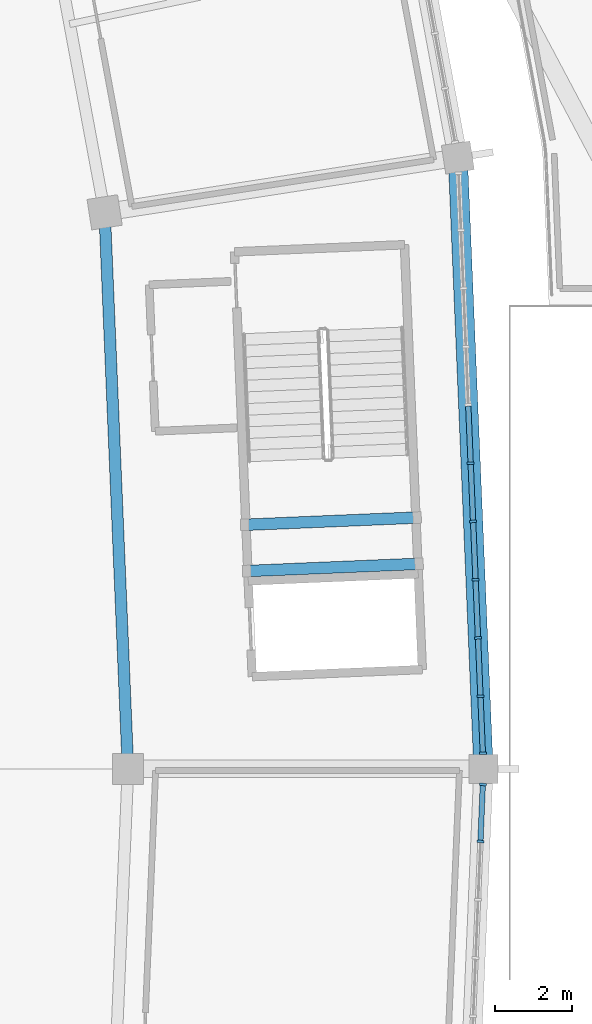
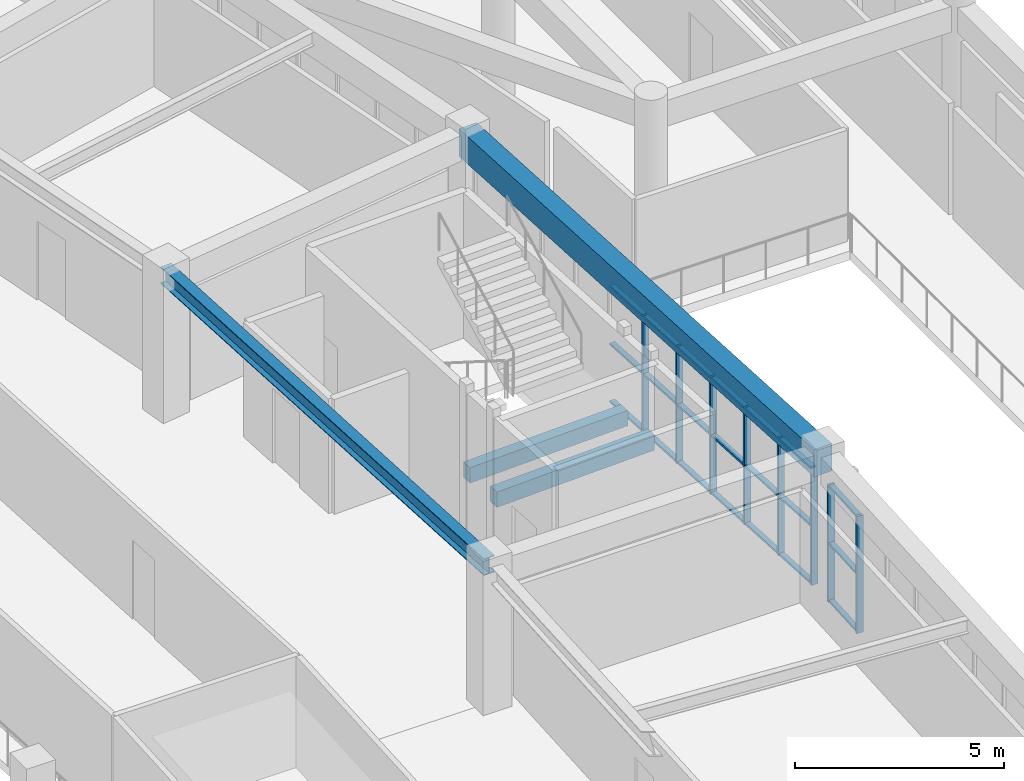
# One storey, part 44 of 141: 29 members, 4 beams, 2 elements without a shape of their own.
"""IFC4 building model written with IfcOpenShell, lengths in metres."""

from ifc_helpers import new_model, si_unit, direction, frame, origin, origin_2d, place, context, subcontext, project, spatial, rectangle, i_section, extrude, material, layer, layer_set, material_profile, profile_set, type_object, element, aggregate, save


model = new_model("IFC4")

# Units and contexts
model_context = context("Model", 3, precision=1e-05, world=origin(), true_north=direction((0.0, 1.0)))
body_context = subcontext(model_context, "Body", "Model", "MODEL_VIEW")
ifc_project = project(units=[si_unit("LENGTHUNIT", "METRE"), si_unit("AREAUNIT", "SQUARE_METRE"), si_unit("VOLUMEUNIT", "CUBIC_METRE"), si_unit("PLANEANGLEUNIT", "RADIAN"), si_unit("MASSUNIT", "GRAM", prefix="KILO")], contexts=[model_context])

# Site, building, storey
site_placement = place(None, origin())
site = spatial("IfcSite", under=ifc_project, at=site_placement, CompositionType="ELEMENT")
building_placement = place(site_placement, origin())
building = spatial("IfcBuilding", under=site, at=building_placement, Name="Mphavela Belvedere Stadium", CompositionType="ELEMENT")
storey_placement = place(building_placement, frame((0.0, 0.0, 14.699951171875)))
storey = spatial("IfcBuildingStorey", under=building, at=storey_placement, Name="L03", CompositionType="ELEMENT", Elevation=14.699951171875)

# Beams
ifc_material_1 = material(Name="Concrete C40/50", Category="concrete")
ifc_material_profile_1 = material_profile(ifc_material_1, rectangle(XDim=0.300048828125, YDim=0.449951171875, at=origin_2d()), Name="RC 300x450")
ifc_profile_set_1 = profile_set([ifc_material_profile_1], Name="Concrete C40/50")
beam_type_1 = type_object("IfcBeamType", Name="BM-RC300x450", PredefinedType="BEAM", material=ifc_profile_set_1)
for number, where, z_axis, x_axis, name in (
    (1, (211.632080078125, 93.325439453125, 1.824951171875), (0.999122153252, 0.04189179968, 0.0), (-0.04189179968, 0.999122153252, 0.0), "Core C01 landing trimmer beam L03-1"),
    (2, (211.682373046875, 92.12646484375, 1.824951171875), (0.999122153252, 0.04189179968, 0.0), (-0.04189179968, 0.999122153252, 0.0), "Core C01 landing trimmer beam L03-2"),
):
    element("IfcBeam", number, at=place(storey_placement, frame(where, z_axis=z_axis, x_axis=x_axis)), inside=storey, type_object=beam_type_1, Name=name, PredefinedType="BEAM", context=body_context, shape_type="SweptSolid", body=[
        extrude(rectangle(XDim=0.300048828125, YDim=0.449951171875, at=origin_2d()), origin(), (0.0, 0.0, 1.0), 4.469970703125),
    ])
ifc_material_2 = material(Name="Concrete C40/50", Category="concrete")
ifc_material_profile_2 = material_profile(ifc_material_2, rectangle(XDim=0.5, YDim=0.800048828125, at=origin_2d()), Name="RC 500x800")
ifc_profile_set_2 = profile_set([ifc_material_profile_2], Name="Concrete C40/50")
beam_type_2 = type_object("IfcBeamType", Name="BM-SPANDREL-800", PredefinedType="SPANDREL", material=ifc_profile_set_2)
beam_1_placement = place(storey_placement, frame((217.820068359375, 87.0, 3.85009765625), z_axis=(-0.041903963155, 0.999121643181, 0.0), x_axis=(-0.999121643181, -0.041903963155, 0.0)))
element("IfcBeam", 3, at=beam_1_placement, inside=storey, type_object=beam_type_2, Name="Circumferential girder L03 R4-01", PredefinedType="SPANDREL", context=body_context, shape_type="SweptSolid", body=[
    extrude(rectangle(XDim=0.5, YDim=0.800048828125, at=origin_2d()), origin(), (0.0, 0.0, 1.0), 15.85888671875),
])
ifc_material_3 = material(Name="Steel S355", Category="steel")
ifc_material_profile_3 = material_profile(ifc_material_3, i_section(OverallWidth=0.300048828125, OverallDepth=0.489990234375, WebThickness=0.011962890625, FlangeThickness=0.02294921875, at=origin_2d()), Name="HEA 500")
ifc_profile_set_3 = profile_set([ifc_material_profile_3], Name="Steel S355")
beam_type_3 = type_object("IfcBeamType", Name="BM-STEEL-HEA500", PredefinedType="BEAM", material=ifc_profile_set_3)
beam_2_placement = place(storey_placement, frame((208.60498046875, 87.0, 4.005126953125), z_axis=(-0.041903450766, 0.99912166467, 0.0), x_axis=(-0.99912166467, -0.041903450766, 0.0)))
element("IfcBeam", 4, at=beam_2_placement, inside=storey, type_object=beam_type_3, Name="Circumferential girder L03 R3-01", PredefinedType="BEAM", context=body_context, shape_type="SweptSolid", body=[
    extrude(i_section(OverallWidth=0.300048828125, OverallDepth=0.489990234375, WebThickness=0.011962890625, FlangeThickness=0.02294921875, at=origin_2d()), origin(), (0.0, 0.0, 1.0), 14.4375),
])

# Curtain wall, members
ifc_material_4 = material(Name="Anodised bronze unitised curtain wall framing")
ifc_layer_1 = layer(ifc_material_4, 0.179931640625)
ifc_layer_set_1 = layer_set([ifc_layer_1], Name="Anodised bronze unitised curtain wall framing")
curtain_wall_type_1 = type_object("IfcCurtainWallType", Name="CW-UNIT-01", PredefinedType="USERDEFINED", material=ifc_layer_set_1)
curtain_wall_1_placement = place(storey_placement, origin())
curtain_wall_1 = element("IfcCurtainWall", 5, at=curtain_wall_1_placement, inside=storey, type_object=curtain_wall_type_1, Name="Belvedere colonnade curtain wall L03-01", ObjectType="UNITISED CURTAIN WALL", PredefinedType="USERDEFINED")
ifc_material_5 = material(Name="Anodised bronze extruded aluminium", Category="aluminium")
ifc_material_profile_4 = material_profile(ifc_material_5, rectangle(XDim=0.179931640625, YDim=0.06494140625, at=origin_2d()), Name="CW-MUL 180x65")
ifc_profile_set_4 = profile_set([ifc_material_profile_4], Name="Anodised bronze extruded aluminium")
member_type_1 = type_object("IfcMemberType", Name="CWM-180x65", PredefinedType="MULLION", material=ifc_profile_set_4)
member_1_placement = place(storey_placement, frame((217.802978515625, 87.4052734375, 0.0), z_axis=(0.0, 0.0, 1.0), x_axis=(-0.999121336582, -0.041911272788, 0.0)))
member_1 = element("IfcMember", 6, at=member_1_placement, type_object=member_type_1, Name="CW-01 mullion 1", PredefinedType="MULLION", context=body_context, shape_type="SweptSolid", body=[
    extrude(rectangle(XDim=0.179931640625, YDim=0.06494140625, at=origin_2d()), origin(), (0.0, 0.0, 1.0), 3.420166015625),
])
member_2_placement = place(storey_placement, frame((217.740966796875, 88.882568359375, 0.0), z_axis=(0.0, 0.0, 1.0), x_axis=(-0.999121336582, -0.041911272788, 0.0)))
member_2 = element("IfcMember", 7, at=member_2_placement, type_object=member_type_1, Name="CW-01 mullion 2", PredefinedType="MULLION", context=body_context, shape_type="SweptSolid", body=[
    extrude(rectangle(XDim=0.179931640625, YDim=0.06494140625, at=origin_2d()), origin(), (0.0, 0.0, 1.0), 3.420166015625),
])
member_3_placement = place(storey_placement, frame((217.677734375, 90.392578125, 0.0), z_axis=(0.0, 0.0, 1.0), x_axis=(-0.999121336582, -0.041911272788, 0.0)))
member_3 = element("IfcMember", 8, at=member_3_placement, type_object=member_type_1, Name="CW-01 mullion 3", PredefinedType="MULLION", context=body_context, shape_type="SweptSolid", body=[
    extrude(rectangle(XDim=0.179931640625, YDim=0.06494140625, at=origin_2d()), origin(), (0.0, 0.0, 1.0), 3.420166015625),
])
member_4_placement = place(storey_placement, frame((217.614501953125, 91.902587890625, 0.0), z_axis=(0.0, 0.0, 1.0), x_axis=(-0.999121336582, -0.041911272788, 0.0)))
member_4 = element("IfcMember", 9, at=member_4_placement, type_object=member_type_1, Name="CW-01 mullion 4", PredefinedType="MULLION", context=body_context, shape_type="SweptSolid", body=[
    extrude(rectangle(XDim=0.179931640625, YDim=0.06494140625, at=origin_2d()), origin(), (0.0, 0.0, 1.0), 3.420166015625),
])
member_5_placement = place(storey_placement, frame((217.551025390625, 93.41259765625, 0.0), z_axis=(0.0, 0.0, 1.0), x_axis=(-0.999121336582, -0.041911272788, 0.0)))
member_5 = element("IfcMember", 10, at=member_5_placement, type_object=member_type_1, Name="CW-01 mullion 5", PredefinedType="MULLION", context=body_context, shape_type="SweptSolid", body=[
    extrude(rectangle(XDim=0.179931640625, YDim=0.06494140625, at=origin_2d()), origin(), (0.0, 0.0, 1.0), 3.420166015625),
])
member_6_placement = place(storey_placement, frame((217.48779296875, 94.922607421875, 0.0), z_axis=(0.0, 0.0, 1.0), x_axis=(-0.999121336582, -0.041911272788, 0.0)))
member_6 = element("IfcMember", 11, at=member_6_placement, type_object=member_type_1, Name="CW-01 mullion 6", PredefinedType="MULLION", context=body_context, shape_type="SweptSolid", body=[
    extrude(rectangle(XDim=0.179931640625, YDim=0.06494140625, at=origin_2d()), origin(), (0.0, 0.0, 1.0), 3.420166015625),
])

ifc_material_6 = material(Name="Anodised bronze unitised curtain wall framing")
ifc_layer_2 = layer(ifc_material_6, 0.195068359375)
ifc_layer_set_2 = layer_set([ifc_layer_2], Name="Anodised bronze unitised curtain wall framing")
curtain_wall_type_2 = type_object("IfcCurtainWallType", Name="CW-UNIT-04", PredefinedType="USERDEFINED", material=ifc_layer_set_2)
curtain_wall_2_placement = place(storey_placement, origin())
curtain_wall_2 = element("IfcCurtainWall", 12, at=curtain_wall_2_placement, inside=storey, type_object=curtain_wall_type_2, Name="Belvedere colonnade curtain wall L03-48", ObjectType="UNITISED CURTAIN WALL", PredefinedType="USERDEFINED")
member_7_placement = place(storey_placement, frame((217.740966796875, 85.117431640625, 0.0), z_axis=(0.0, 0.0, 1.0), x_axis=(-0.999121336582, 0.041911272788, 0.0)))
member_7 = element("IfcMember", 13, at=member_7_placement, type_object=member_type_1, Name="CW-04 mullion 10", PredefinedType="MULLION", context=body_context, shape_type="SweptSolid", body=[
    extrude(rectangle(XDim=0.179931640625, YDim=0.06494140625, at=origin_2d()), origin(), (0.0, 0.0, 1.0), 3.420166015625),
])
member_8_placement = place(storey_placement, frame((217.802978515625, 86.5947265625, 0.0), z_axis=(0.0, 0.0, 1.0), x_axis=(-0.999121336582, 0.041911272788, 0.0)))
member_8 = element("IfcMember", 14, at=member_8_placement, type_object=member_type_1, Name="CW-04 mullion 11", PredefinedType="MULLION", context=body_context, shape_type="SweptSolid", body=[
    extrude(rectangle(XDim=0.179931640625, YDim=0.06494140625, at=origin_2d()), origin(), (0.0, 0.0, 1.0), 3.420166015625),
])

# Member
ifc_material_7 = material(Name="Anodised bronze extruded aluminium", Category="aluminium")
ifc_material_profile_5 = material_profile(ifc_material_7, rectangle(XDim=0.139892578125, YDim=0.06005859375, at=origin_2d()), Name="CW-TRN 140x60")
ifc_profile_set_5 = profile_set([ifc_material_profile_5], Name="Anodised bronze extruded aluminium")
member_type_2 = type_object("IfcMemberType", Name="CWT-140x60", PredefinedType="USERDEFINED", material=ifc_profile_set_5)
member_9_placement = place(storey_placement, frame((217.8017578125, 87.437744140625, 0.030029296875), z_axis=(-0.04196817707, 0.99911894793, 0.0), x_axis=(-0.99911894793, -0.04196817707, 0.0)))
member_9 = element("IfcMember", 15, at=member_9_placement, type_object=member_type_2, Name="CW-01 transom 1.1", ObjectType="TRANSOM", PredefinedType="USERDEFINED", context=body_context, shape_type="SweptSolid", body=[
    extrude(rectangle(XDim=0.139892578125, YDim=0.06005859375, at=origin_2d()), origin(), (0.0, 0.0, 1.0), 1.41357421875),
])

member_10_placement = place(storey_placement, frame((217.8017578125, 87.437744140625, 1.7099609375), z_axis=(-0.04196817707, 0.99911894793, 0.0), x_axis=(-0.99911894793, -0.04196817707, 0.0)))
member_10 = element("IfcMember", 16, at=member_10_placement, type_object=member_type_2, Name="CW-01 transom 1.2", ObjectType="TRANSOM", PredefinedType="USERDEFINED", context=body_context, shape_type="SweptSolid", body=[
    extrude(rectangle(XDim=0.139892578125, YDim=0.06005859375, at=origin_2d()), origin(), (0.0, 0.0, 1.0), 1.41357421875),
])

member_11_placement = place(storey_placement, frame((217.8017578125, 87.437744140625, 3.39013671875), z_axis=(-0.04196817707, 0.99911894793, 0.0), x_axis=(-0.99911894793, -0.04196817707, 0.0)))
member_11 = element("IfcMember", 17, at=member_11_placement, type_object=member_type_2, Name="CW-01 transom 1.3", ObjectType="TRANSOM", PredefinedType="USERDEFINED", context=body_context, shape_type="SweptSolid", body=[
    extrude(rectangle(XDim=0.139892578125, YDim=0.06005859375, at=origin_2d()), origin(), (0.0, 0.0, 1.0), 1.41357421875),
])

member_12_placement = place(storey_placement, frame((217.73974609375, 88.9150390625, 0.030029296875), z_axis=(-0.041862240457, 0.999123392191, 0.0), x_axis=(-0.999123392191, -0.041862240457, 0.0)))
member_12 = element("IfcMember", 18, at=member_12_placement, type_object=member_type_2, Name="CW-01 transom 2.1", ObjectType="TRANSOM", PredefinedType="USERDEFINED", context=body_context, shape_type="SweptSolid", body=[
    extrude(rectangle(XDim=0.139892578125, YDim=0.06005859375, at=origin_2d()), origin(), (0.0, 0.0, 1.0), 1.4462890625),
])

member_13_placement = place(storey_placement, frame((217.73974609375, 88.9150390625, 1.7099609375), z_axis=(-0.041862240457, 0.999123392191, 0.0), x_axis=(-0.999123392191, -0.041862240457, 0.0)))
member_13 = element("IfcMember", 19, at=member_13_placement, type_object=member_type_2, Name="CW-01 transom 2.2", ObjectType="TRANSOM", PredefinedType="USERDEFINED", context=body_context, shape_type="SweptSolid", body=[
    extrude(rectangle(XDim=0.139892578125, YDim=0.06005859375, at=origin_2d()), origin(), (0.0, 0.0, 1.0), 1.4462890625),
])

member_14_placement = place(storey_placement, frame((217.73974609375, 88.9150390625, 3.39013671875), z_axis=(-0.041862240457, 0.999123392191, 0.0), x_axis=(-0.999123392191, -0.041862240457, 0.0)))
member_14 = element("IfcMember", 20, at=member_14_placement, type_object=member_type_2, Name="CW-01 transom 2.3", ObjectType="TRANSOM", PredefinedType="USERDEFINED", context=body_context, shape_type="SweptSolid", body=[
    extrude(rectangle(XDim=0.139892578125, YDim=0.06005859375, at=origin_2d()), origin(), (0.0, 0.0, 1.0), 1.4462890625),
])

member_15_placement = place(storey_placement, frame((217.67626953125, 90.425048828125, 0.030029296875), z_axis=(-0.041862240457, 0.999123392191, 0.0), x_axis=(-0.999123392191, -0.041862240457, 0.0)))
member_15 = element("IfcMember", 21, at=member_15_placement, type_object=member_type_2, Name="CW-01 transom 3.1", ObjectType="TRANSOM", PredefinedType="USERDEFINED", context=body_context, shape_type="SweptSolid", body=[
    extrude(rectangle(XDim=0.139892578125, YDim=0.06005859375, at=origin_2d()), origin(), (0.0, 0.0, 1.0), 1.4462890625),
])

member_16_placement = place(storey_placement, frame((217.67626953125, 90.425048828125, 1.7099609375), z_axis=(-0.041862240457, 0.999123392191, 0.0), x_axis=(-0.999123392191, -0.041862240457, 0.0)))
member_16 = element("IfcMember", 22, at=member_16_placement, type_object=member_type_2, Name="CW-01 transom 3.2", ObjectType="TRANSOM", PredefinedType="USERDEFINED", context=body_context, shape_type="SweptSolid", body=[
    extrude(rectangle(XDim=0.139892578125, YDim=0.06005859375, at=origin_2d()), origin(), (0.0, 0.0, 1.0), 1.4462890625),
])

member_17_placement = place(storey_placement, frame((217.67626953125, 90.425048828125, 3.39013671875), z_axis=(-0.041862240457, 0.999123392191, 0.0), x_axis=(-0.999123392191, -0.041862240457, 0.0)))
member_17 = element("IfcMember", 23, at=member_17_placement, type_object=member_type_2, Name="CW-01 transom 3.3", ObjectType="TRANSOM", PredefinedType="USERDEFINED", context=body_context, shape_type="SweptSolid", body=[
    extrude(rectangle(XDim=0.139892578125, YDim=0.06005859375, at=origin_2d()), origin(), (0.0, 0.0, 1.0), 1.4462890625),
])

member_18_placement = place(storey_placement, frame((217.613037109375, 91.93505859375, 0.030029296875), z_axis=(-0.041862240457, 0.999123392191, 0.0), x_axis=(-0.999123392191, -0.041862240457, 0.0)))
member_18 = element("IfcMember", 24, at=member_18_placement, type_object=member_type_2, Name="CW-01 transom 4.1", ObjectType="TRANSOM", PredefinedType="USERDEFINED", context=body_context, shape_type="SweptSolid", body=[
    extrude(rectangle(XDim=0.139892578125, YDim=0.06005859375, at=origin_2d()), origin(), (0.0, 0.0, 1.0), 1.4462890625),
])

member_19_placement = place(storey_placement, frame((217.613037109375, 91.93505859375, 1.7099609375), z_axis=(-0.041862240457, 0.999123392191, 0.0), x_axis=(-0.999123392191, -0.041862240457, 0.0)))
member_19 = element("IfcMember", 25, at=member_19_placement, type_object=member_type_2, Name="CW-01 transom 4.2", ObjectType="TRANSOM", PredefinedType="USERDEFINED", context=body_context, shape_type="SweptSolid", body=[
    extrude(rectangle(XDim=0.139892578125, YDim=0.06005859375, at=origin_2d()), origin(), (0.0, 0.0, 1.0), 1.4462890625),
])

member_20_placement = place(storey_placement, frame((217.613037109375, 91.93505859375, 3.39013671875), z_axis=(-0.041862240457, 0.999123392191, 0.0), x_axis=(-0.999123392191, -0.041862240457, 0.0)))
member_20 = element("IfcMember", 26, at=member_20_placement, type_object=member_type_2, Name="CW-01 transom 4.3", ObjectType="TRANSOM", PredefinedType="USERDEFINED", context=body_context, shape_type="SweptSolid", body=[
    extrude(rectangle(XDim=0.139892578125, YDim=0.06005859375, at=origin_2d()), origin(), (0.0, 0.0, 1.0), 1.4462890625),
])

member_21_placement = place(storey_placement, frame((217.549560546875, 93.445068359375, 0.030029296875), z_axis=(-0.041862240457, 0.999123392191, 0.0), x_axis=(-0.999123392191, -0.041862240457, 0.0)))
member_21 = element("IfcMember", 27, at=member_21_placement, type_object=member_type_2, Name="CW-01 transom 5.1", ObjectType="TRANSOM", PredefinedType="USERDEFINED", context=body_context, shape_type="SweptSolid", body=[
    extrude(rectangle(XDim=0.139892578125, YDim=0.06005859375, at=origin_2d()), origin(), (0.0, 0.0, 1.0), 1.4462890625),
])

member_22_placement = place(storey_placement, frame((217.549560546875, 93.445068359375, 1.7099609375), z_axis=(-0.041862240457, 0.999123392191, 0.0), x_axis=(-0.999123392191, -0.041862240457, 0.0)))
member_22 = element("IfcMember", 28, at=member_22_placement, type_object=member_type_2, Name="CW-01 transom 5.2", ObjectType="TRANSOM", PredefinedType="USERDEFINED", context=body_context, shape_type="SweptSolid", body=[
    extrude(rectangle(XDim=0.139892578125, YDim=0.06005859375, at=origin_2d()), origin(), (0.0, 0.0, 1.0), 1.4462890625),
])

member_23_placement = place(storey_placement, frame((217.549560546875, 93.445068359375, 3.39013671875), z_axis=(-0.041862240457, 0.999123392191, 0.0), x_axis=(-0.999123392191, -0.041862240457, 0.0)))
member_23 = element("IfcMember", 29, at=member_23_placement, type_object=member_type_2, Name="CW-01 transom 5.3", ObjectType="TRANSOM", PredefinedType="USERDEFINED", context=body_context, shape_type="SweptSolid", body=[
    extrude(rectangle(XDim=0.139892578125, YDim=0.06005859375, at=origin_2d()), origin(), (0.0, 0.0, 1.0), 1.4462890625),
])

member_24_placement = place(storey_placement, frame((217.486328125, 94.955078125, 0.030029296875), z_axis=(-0.041869301771, 0.999123096305, 0.0), x_axis=(-0.999123096305, -0.041869301771, 0.0)))
member_24 = element("IfcMember", 30, at=member_24_placement, type_object=member_type_2, Name="CW-01 transom 6.1", ObjectType="TRANSOM", PredefinedType="USERDEFINED", context=body_context, shape_type="SweptSolid", body=[
    extrude(rectangle(XDim=0.139892578125, YDim=0.06005859375, at=origin_2d()), origin(), (0.0, 0.0, 1.0), 1.446044921875),
])

member_25_placement = place(storey_placement, frame((217.486328125, 94.955078125, 1.7099609375), z_axis=(-0.041869301771, 0.999123096305, 0.0), x_axis=(-0.999123096305, -0.041869301771, 0.0)))
member_25 = element("IfcMember", 31, at=member_25_placement, type_object=member_type_2, Name="CW-01 transom 6.2", ObjectType="TRANSOM", PredefinedType="USERDEFINED", context=body_context, shape_type="SweptSolid", body=[
    extrude(rectangle(XDim=0.139892578125, YDim=0.06005859375, at=origin_2d()), origin(), (0.0, 0.0, 1.0), 1.446044921875),
])

member_26_placement = place(storey_placement, frame((217.486328125, 94.955078125, 3.39013671875), z_axis=(-0.041869301771, 0.999123096305, 0.0), x_axis=(-0.999123096305, -0.041869301771, 0.0)))
member_26 = element("IfcMember", 32, at=member_26_placement, type_object=member_type_2, Name="CW-01 transom 6.3", ObjectType="TRANSOM", PredefinedType="USERDEFINED", context=body_context, shape_type="SweptSolid", body=[
    extrude(rectangle(XDim=0.139892578125, YDim=0.06005859375, at=origin_2d()), origin(), (0.0, 0.0, 1.0), 1.446044921875),
])

aggregate(curtain_wall_1, [member_1, member_2, member_3, member_4, member_5, member_6, member_9, member_10, member_11, member_12, member_13, member_14, member_15, member_16, member_17, member_18, member_19, member_20, member_21, member_22, member_23, member_24, member_25, member_26])

member_27_placement = place(storey_placement, frame((217.742431640625, 85.14990234375, 0.030029296875), z_axis=(0.04196817707, 0.99911894793, 0.0), x_axis=(-0.99911894793, 0.04196817707, 0.0)))
member_27 = element("IfcMember", 33, at=member_27_placement, type_object=member_type_2, Name="CW-04 transom 10.1", ObjectType="TRANSOM", PredefinedType="USERDEFINED", context=body_context, shape_type="SweptSolid", body=[
    extrude(rectangle(XDim=0.139892578125, YDim=0.06005859375, at=origin_2d()), origin(), (0.0, 0.0, 1.0), 1.41357421875),
])

member_28_placement = place(storey_placement, frame((217.742431640625, 85.14990234375, 1.7099609375), z_axis=(0.04196817707, 0.99911894793, 0.0), x_axis=(-0.99911894793, 0.04196817707, 0.0)))
member_28 = element("IfcMember", 34, at=member_28_placement, type_object=member_type_2, Name="CW-04 transom 10.2", ObjectType="TRANSOM", PredefinedType="USERDEFINED", context=body_context, shape_type="SweptSolid", body=[
    extrude(rectangle(XDim=0.139892578125, YDim=0.06005859375, at=origin_2d()), origin(), (0.0, 0.0, 1.0), 1.41357421875),
])

member_29_placement = place(storey_placement, frame((217.742431640625, 85.14990234375, 3.39013671875), z_axis=(0.04196817707, 0.99911894793, 0.0), x_axis=(-0.99911894793, 0.04196817707, 0.0)))
member_29 = element("IfcMember", 35, at=member_29_placement, type_object=member_type_2, Name="CW-04 transom 10.3", ObjectType="TRANSOM", PredefinedType="USERDEFINED", context=body_context, shape_type="SweptSolid", body=[
    extrude(rectangle(XDim=0.139892578125, YDim=0.06005859375, at=origin_2d()), origin(), (0.0, 0.0, 1.0), 1.41357421875),
])

aggregate(curtain_wall_2, [member_7, member_8, member_27, member_28, member_29])

save(model, "model.ifc")
